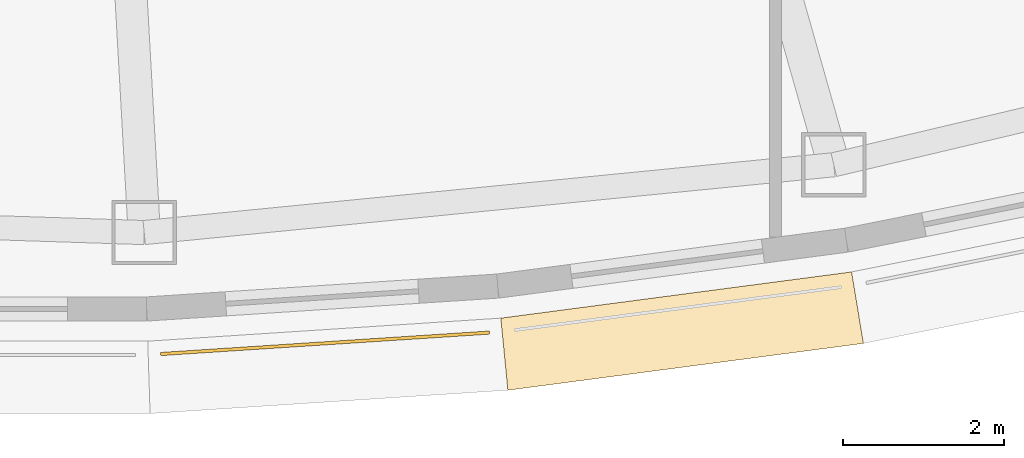
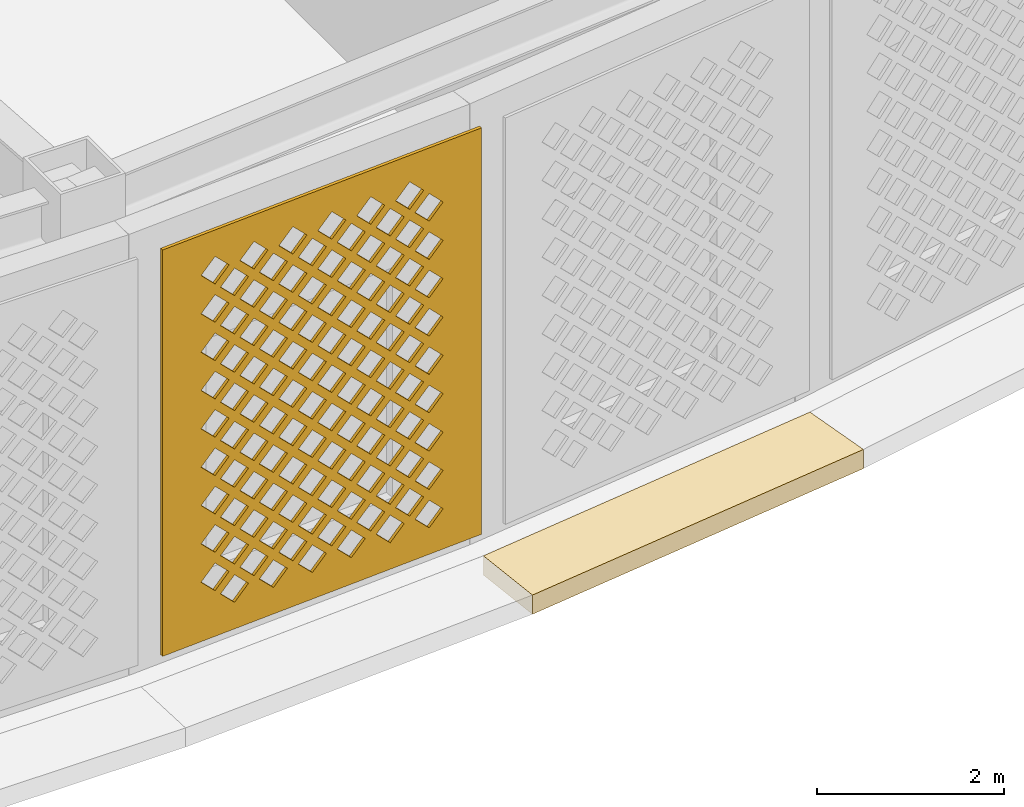
# One storey, part 59 of 74: 2 coverings.
"""IFC4 building model written with IfcOpenShell, lengths in metres."""

from ifc_helpers import new_model, si_unit, direction, frame, origin, place, context, subcontext, project, spatial, polyline, outline, extrude, material, layer, layer_set, type_object, element, save


model = new_model("IFC4")

# Units and contexts
model_context = context("Model", 3, precision=1e-05, world=origin(), true_north=direction((0.0, 1.0)))
body_context = subcontext(model_context, "Body", "Model", "MODEL_VIEW")
ifc_project = project(units=[si_unit("LENGTHUNIT", "METRE"), si_unit("AREAUNIT", "SQUARE_METRE"), si_unit("VOLUMEUNIT", "CUBIC_METRE"), si_unit("PLANEANGLEUNIT", "RADIAN"), si_unit("MASSUNIT", "GRAM", prefix="KILO")], contexts=[model_context])

# Site, building, storey
site_placement = place(None, origin())
site = spatial("IfcSite", under=ifc_project, at=site_placement, CompositionType="ELEMENT")
building_placement = place(site_placement, origin())
building = spatial("IfcBuilding", under=site, at=building_placement, Name="Noorbagh Ring Tower", CompositionType="ELEMENT")
storey_placement = place(building_placement, frame((0.0, 0.0, 13.5)))
storey = spatial("IfcBuildingStorey", under=building, at=storey_placement, Name="L02", CompositionType="ELEMENT", Elevation=13.5)

# Coverings
ifc_material_1 = material(Name="Red sandstone eave", Category="masonry")
covering_type_1 = type_object("IfcCoveringType", Name="STY-CHHAJJA", PredefinedType="USERDEFINED", material=ifc_material_1)
covering_1_placement = place(storey_placement, frame((0.0, 0.0, -0.25)))
element("IfcCovering", 1, at=covering_1_placement, inside=storey, type_object=covering_type_1, Name="Chhajja eave", ObjectType="CHHAJJA", PredefinedType="USERDEFINED", context=body_context, shape_type="SweptSolid", body=[
    extrude(outline(polyline([(6.586181640625, -39.677978515625), (10.945556640625, -39.103759765625), (11.093017578125, -39.9921875), (6.67431640625, -40.573974609375), (6.586181640625, -39.677978515625)])), origin(), (0.0, 0.0, 1.0), 0.25),
])
ifc_material_2 = material(Name="Red sandstone jali", Category="masonry")
ifc_layer = layer(ifc_material_2, 0.0400390625)
ifc_layer_set = layer_set([ifc_layer], Name="Red sandstone jali")
covering_type_2 = type_object("IfcCoveringType", Name="STY-JALI", PredefinedType="USERDEFINED", material=ifc_layer_set)
covering_2_placement = place(storey_placement, frame((2.360595703125, -40.14404296875, 0.449951171875), z_axis=(0.065130734288, -0.997876739608, 0.0), x_axis=(0.997876739608, 0.065130734288, 0.0)))
element("IfcCovering", 2, at=covering_2_placement, inside=storey, type_object=covering_type_2, Name="Jali screen", ObjectType="SCREEN", PredefinedType="USERDEFINED", context=body_context, shape_type="SweptSolid", body=[
    extrude(outline(polyline([(0.0, 0.0), (4.09716796875, 0.0), (4.09716796875, 5.300048828125), (0.0, 5.300048828125), (0.0, 0.0)]), holes=[polyline([(0.743408203125, 0.52490234375), (0.923583984375, 0.344970703125), (1.103515625, 0.52490234375), (0.923583984375, 0.705078125), (0.743408203125, 0.52490234375)]), polyline([(1.243408203125, 0.52490234375), (1.423583984375, 0.344970703125), (1.603515625, 0.52490234375), (1.423583984375, 0.705078125), (1.243408203125, 0.52490234375)]), polyline([(1.743408203125, 0.52490234375), (1.923583984375, 0.344970703125), (2.103515625, 0.52490234375), (1.923583984375, 0.705078125), (1.743408203125, 0.52490234375)]), polyline([(2.243408203125, 0.52490234375), (2.423583984375, 0.344970703125), (2.603515625, 0.52490234375), (2.423583984375, 0.705078125), (2.243408203125, 0.52490234375)]), polyline([(2.743408203125, 0.52490234375), (2.923583984375, 0.344970703125), (3.103515625, 0.52490234375), (2.923583984375, 0.705078125), (2.743408203125, 0.52490234375)]), polyline([(3.243408203125, 0.52490234375), (3.423583984375, 0.344970703125), (3.603515625, 0.52490234375), (3.423583984375, 0.705078125), (3.243408203125, 0.52490234375)]), polyline([(0.493408203125, 0.77490234375), (0.673583984375, 0.594970703125), (0.853515625, 0.77490234375), (0.673583984375, 0.955078125), (0.493408203125, 0.77490234375)]), polyline([(0.993408203125, 0.77490234375), (1.173583984375, 0.594970703125), (1.353515625, 0.77490234375), (1.173583984375, 0.955078125), (0.993408203125, 0.77490234375)]), polyline([(1.493408203125, 0.77490234375), (1.673583984375, 0.594970703125), (1.853515625, 0.77490234375), (1.673583984375, 0.955078125), (1.493408203125, 0.77490234375)]), polyline([(1.993408203125, 0.77490234375), (2.173583984375, 0.594970703125), (2.353515625, 0.77490234375), (2.173583984375, 0.955078125), (1.993408203125, 0.77490234375)]), polyline([(2.493408203125, 0.77490234375), (2.673583984375, 0.594970703125), (2.853515625, 0.77490234375), (2.673583984375, 0.955078125), (2.493408203125, 0.77490234375)]), polyline([(2.993408203125, 0.77490234375), (3.173583984375, 0.594970703125), (3.353515625, 0.77490234375), (3.173583984375, 0.955078125), (2.993408203125, 0.77490234375)]), polyline([(0.743408203125, 1.02490234375), (0.923583984375, 0.844970703125), (1.103515625, 1.02490234375), (0.923583984375, 1.205078125), (0.743408203125, 1.02490234375)]), polyline([(1.243408203125, 1.02490234375), (1.423583984375, 0.844970703125), (1.603515625, 1.02490234375), (1.423583984375, 1.205078125), (1.243408203125, 1.02490234375)]), polyline([(1.743408203125, 1.02490234375), (1.923583984375, 0.844970703125), (2.103515625, 1.02490234375), (1.923583984375, 1.205078125), (1.743408203125, 1.02490234375)]), polyline([(2.243408203125, 1.02490234375), (2.423583984375, 0.844970703125), (2.603515625, 1.02490234375), (2.423583984375, 1.205078125), (2.243408203125, 1.02490234375)]), polyline([(2.743408203125, 1.02490234375), (2.923583984375, 0.844970703125), (3.103515625, 1.02490234375), (2.923583984375, 1.205078125), (2.743408203125, 1.02490234375)]), polyline([(3.243408203125, 1.02490234375), (3.423583984375, 0.844970703125), (3.603515625, 1.02490234375), (3.423583984375, 1.205078125), (3.243408203125, 1.02490234375)]), polyline([(0.493408203125, 1.27490234375), (0.673583984375, 1.094970703125), (0.853515625, 1.27490234375), (0.673583984375, 1.455078125), (0.493408203125, 1.27490234375)]), polyline([(0.993408203125, 1.27490234375), (1.173583984375, 1.094970703125), (1.353515625, 1.27490234375), (1.173583984375, 1.455078125), (0.993408203125, 1.27490234375)]), polyline([(1.493408203125, 1.27490234375), (1.673583984375, 1.094970703125), (1.853515625, 1.27490234375), (1.673583984375, 1.455078125), (1.493408203125, 1.27490234375)]), polyline([(1.993408203125, 1.27490234375), (2.173583984375, 1.094970703125), (2.353515625, 1.27490234375), (2.173583984375, 1.455078125), (1.993408203125, 1.27490234375)]), polyline([(2.493408203125, 1.27490234375), (2.673583984375, 1.094970703125), (2.853515625, 1.27490234375), (2.673583984375, 1.455078125), (2.493408203125, 1.27490234375)]), polyline([(2.993408203125, 1.27490234375), (3.173583984375, 1.094970703125), (3.353515625, 1.27490234375), (3.173583984375, 1.455078125), (2.993408203125, 1.27490234375)]), polyline([(0.743408203125, 1.52490234375), (0.923583984375, 1.344970703125), (1.103515625, 1.52490234375), (0.923583984375, 1.705078125), (0.743408203125, 1.52490234375)]), polyline([(1.243408203125, 1.52490234375), (1.423583984375, 1.344970703125), (1.603515625, 1.52490234375), (1.423583984375, 1.705078125), (1.243408203125, 1.52490234375)]), polyline([(1.743408203125, 1.52490234375), (1.923583984375, 1.344970703125), (2.103515625, 1.52490234375), (1.923583984375, 1.705078125), (1.743408203125, 1.52490234375)]), polyline([(2.243408203125, 1.52490234375), (2.423583984375, 1.344970703125), (2.603515625, 1.52490234375), (2.423583984375, 1.705078125), (2.243408203125, 1.52490234375)]), polyline([(2.743408203125, 1.52490234375), (2.923583984375, 1.344970703125), (3.103515625, 1.52490234375), (2.923583984375, 1.705078125), (2.743408203125, 1.52490234375)]), polyline([(3.243408203125, 1.52490234375), (3.423583984375, 1.344970703125), (3.603515625, 1.52490234375), (3.423583984375, 1.705078125), (3.243408203125, 1.52490234375)]), polyline([(0.493408203125, 1.77490234375), (0.673583984375, 1.594970703125), (0.853515625, 1.77490234375), (0.673583984375, 1.955078125), (0.493408203125, 1.77490234375)]), polyline([(0.993408203125, 1.77490234375), (1.173583984375, 1.594970703125), (1.353515625, 1.77490234375), (1.173583984375, 1.955078125), (0.993408203125, 1.77490234375)]), polyline([(1.493408203125, 1.77490234375), (1.673583984375, 1.594970703125), (1.853515625, 1.77490234375), (1.673583984375, 1.955078125), (1.493408203125, 1.77490234375)]), polyline([(1.993408203125, 1.77490234375), (2.173583984375, 1.594970703125), (2.353515625, 1.77490234375), (2.173583984375, 1.955078125), (1.993408203125, 1.77490234375)]), polyline([(2.493408203125, 1.77490234375), (2.673583984375, 1.594970703125), (2.853515625, 1.77490234375), (2.673583984375, 1.955078125), (2.493408203125, 1.77490234375)]), polyline([(2.993408203125, 1.77490234375), (3.173583984375, 1.594970703125), (3.353515625, 1.77490234375), (3.173583984375, 1.955078125), (2.993408203125, 1.77490234375)]), polyline([(0.743408203125, 2.02490234375), (0.923583984375, 1.844970703125), (1.103515625, 2.02490234375), (0.923583984375, 2.205078125), (0.743408203125, 2.02490234375)]), polyline([(1.243408203125, 2.02490234375), (1.423583984375, 1.844970703125), (1.603515625, 2.02490234375), (1.423583984375, 2.205078125), (1.243408203125, 2.02490234375)]), polyline([(1.743408203125, 2.02490234375), (1.923583984375, 1.844970703125), (2.103515625, 2.02490234375), (1.923583984375, 2.205078125), (1.743408203125, 2.02490234375)]), polyline([(2.243408203125, 2.02490234375), (2.423583984375, 1.844970703125), (2.603515625, 2.02490234375), (2.423583984375, 2.205078125), (2.243408203125, 2.02490234375)]), polyline([(2.743408203125, 2.02490234375), (2.923583984375, 1.844970703125), (3.103515625, 2.02490234375), (2.923583984375, 2.205078125), (2.743408203125, 2.02490234375)]), polyline([(3.243408203125, 2.02490234375), (3.423583984375, 1.844970703125), (3.603515625, 2.02490234375), (3.423583984375, 2.205078125), (3.243408203125, 2.02490234375)]), polyline([(0.493408203125, 2.27490234375), (0.673583984375, 2.094970703125), (0.853515625, 2.27490234375), (0.673583984375, 2.455078125), (0.493408203125, 2.27490234375)]), polyline([(0.993408203125, 2.27490234375), (1.173583984375, 2.094970703125), (1.353515625, 2.27490234375), (1.173583984375, 2.455078125), (0.993408203125, 2.27490234375)]), polyline([(1.493408203125, 2.27490234375), (1.673583984375, 2.094970703125), (1.853515625, 2.27490234375), (1.673583984375, 2.455078125), (1.493408203125, 2.27490234375)]), polyline([(1.993408203125, 2.27490234375), (2.173583984375, 2.094970703125), (2.353515625, 2.27490234375), (2.173583984375, 2.455078125), (1.993408203125, 2.27490234375)]), polyline([(2.493408203125, 2.27490234375), (2.673583984375, 2.094970703125), (2.853515625, 2.27490234375), (2.673583984375, 2.455078125), (2.493408203125, 2.27490234375)]), polyline([(2.993408203125, 2.27490234375), (3.173583984375, 2.094970703125), (3.353515625, 2.27490234375), (3.173583984375, 2.455078125), (2.993408203125, 2.27490234375)]), polyline([(0.743408203125, 2.52490234375), (0.923583984375, 2.344970703125), (1.103515625, 2.52490234375), (0.923583984375, 2.705078125), (0.743408203125, 2.52490234375)]), polyline([(1.243408203125, 2.52490234375), (1.423583984375, 2.344970703125), (1.603515625, 2.52490234375), (1.423583984375, 2.705078125), (1.243408203125, 2.52490234375)]), polyline([(1.743408203125, 2.52490234375), (1.923583984375, 2.344970703125), (2.103515625, 2.52490234375), (1.923583984375, 2.705078125), (1.743408203125, 2.52490234375)]), polyline([(2.243408203125, 2.52490234375), (2.423583984375, 2.344970703125), (2.603515625, 2.52490234375), (2.423583984375, 2.705078125), (2.243408203125, 2.52490234375)]), polyline([(2.743408203125, 2.52490234375), (2.923583984375, 2.344970703125), (3.103515625, 2.52490234375), (2.923583984375, 2.705078125), (2.743408203125, 2.52490234375)]), polyline([(3.243408203125, 2.52490234375), (3.423583984375, 2.344970703125), (3.603515625, 2.52490234375), (3.423583984375, 2.705078125), (3.243408203125, 2.52490234375)]), polyline([(0.493408203125, 2.77490234375), (0.673583984375, 2.594970703125), (0.853515625, 2.77490234375), (0.673583984375, 2.955078125), (0.493408203125, 2.77490234375)]), polyline([(0.993408203125, 2.77490234375), (1.173583984375, 2.594970703125), (1.353515625, 2.77490234375), (1.173583984375, 2.955078125), (0.993408203125, 2.77490234375)]), polyline([(1.493408203125, 2.77490234375), (1.673583984375, 2.594970703125), (1.853515625, 2.77490234375), (1.673583984375, 2.955078125), (1.493408203125, 2.77490234375)]), polyline([(1.993408203125, 2.77490234375), (2.173583984375, 2.594970703125), (2.353515625, 2.77490234375), (2.173583984375, 2.955078125), (1.993408203125, 2.77490234375)]), polyline([(2.493408203125, 2.77490234375), (2.673583984375, 2.594970703125), (2.853515625, 2.77490234375), (2.673583984375, 2.955078125), (2.493408203125, 2.77490234375)]), polyline([(2.993408203125, 2.77490234375), (3.173583984375, 2.594970703125), (3.353515625, 2.77490234375), (3.173583984375, 2.955078125), (2.993408203125, 2.77490234375)]), polyline([(0.743408203125, 3.02490234375), (0.923583984375, 2.844970703125), (1.103515625, 3.02490234375), (0.923583984375, 3.205078125), (0.743408203125, 3.02490234375)]), polyline([(1.243408203125, 3.02490234375), (1.423583984375, 2.844970703125), (1.603515625, 3.02490234375), (1.423583984375, 3.205078125), (1.243408203125, 3.02490234375)]), polyline([(1.743408203125, 3.02490234375), (1.923583984375, 2.844970703125), (2.103515625, 3.02490234375), (1.923583984375, 3.205078125), (1.743408203125, 3.02490234375)]), polyline([(2.243408203125, 3.02490234375), (2.423583984375, 2.844970703125), (2.603515625, 3.02490234375), (2.423583984375, 3.205078125), (2.243408203125, 3.02490234375)]), polyline([(2.743408203125, 3.02490234375), (2.923583984375, 2.844970703125), (3.103515625, 3.02490234375), (2.923583984375, 3.205078125), (2.743408203125, 3.02490234375)]), polyline([(3.243408203125, 3.02490234375), (3.423583984375, 2.844970703125), (3.603515625, 3.02490234375), (3.423583984375, 3.205078125), (3.243408203125, 3.02490234375)]), polyline([(0.493408203125, 3.27490234375), (0.673583984375, 3.094970703125), (0.853515625, 3.27490234375), (0.673583984375, 3.455078125), (0.493408203125, 3.27490234375)]), polyline([(0.993408203125, 3.27490234375), (1.173583984375, 3.094970703125), (1.353515625, 3.27490234375), (1.173583984375, 3.455078125), (0.993408203125, 3.27490234375)]), polyline([(1.493408203125, 3.27490234375), (1.673583984375, 3.094970703125), (1.853515625, 3.27490234375), (1.673583984375, 3.455078125), (1.493408203125, 3.27490234375)]), polyline([(1.993408203125, 3.27490234375), (2.173583984375, 3.094970703125), (2.353515625, 3.27490234375), (2.173583984375, 3.455078125), (1.993408203125, 3.27490234375)]), polyline([(2.493408203125, 3.27490234375), (2.673583984375, 3.094970703125), (2.853515625, 3.27490234375), (2.673583984375, 3.455078125), (2.493408203125, 3.27490234375)]), polyline([(2.993408203125, 3.27490234375), (3.173583984375, 3.094970703125), (3.353515625, 3.27490234375), (3.173583984375, 3.455078125), (2.993408203125, 3.27490234375)]), polyline([(0.743408203125, 3.52490234375), (0.923583984375, 3.344970703125), (1.103515625, 3.52490234375), (0.923583984375, 3.705078125), (0.743408203125, 3.52490234375)]), polyline([(1.243408203125, 3.52490234375), (1.423583984375, 3.344970703125), (1.603515625, 3.52490234375), (1.423583984375, 3.705078125), (1.243408203125, 3.52490234375)]), polyline([(1.743408203125, 3.52490234375), (1.923583984375, 3.344970703125), (2.103515625, 3.52490234375), (1.923583984375, 3.705078125), (1.743408203125, 3.52490234375)]), polyline([(2.243408203125, 3.52490234375), (2.423583984375, 3.344970703125), (2.603515625, 3.52490234375), (2.423583984375, 3.705078125), (2.243408203125, 3.52490234375)]), polyline([(2.743408203125, 3.52490234375), (2.923583984375, 3.344970703125), (3.103515625, 3.52490234375), (2.923583984375, 3.705078125), (2.743408203125, 3.52490234375)]), polyline([(3.243408203125, 3.52490234375), (3.423583984375, 3.344970703125), (3.603515625, 3.52490234375), (3.423583984375, 3.705078125), (3.243408203125, 3.52490234375)]), polyline([(0.493408203125, 3.77490234375), (0.673583984375, 3.594970703125), (0.853515625, 3.77490234375), (0.673583984375, 3.955078125), (0.493408203125, 3.77490234375)]), polyline([(0.993408203125, 3.77490234375), (1.173583984375, 3.594970703125), (1.353515625, 3.77490234375), (1.173583984375, 3.955078125), (0.993408203125, 3.77490234375)]), polyline([(1.493408203125, 3.77490234375), (1.673583984375, 3.594970703125), (1.853515625, 3.77490234375), (1.673583984375, 3.955078125), (1.493408203125, 3.77490234375)]), polyline([(1.993408203125, 3.77490234375), (2.173583984375, 3.594970703125), (2.353515625, 3.77490234375), (2.173583984375, 3.955078125), (1.993408203125, 3.77490234375)]), polyline([(2.493408203125, 3.77490234375), (2.673583984375, 3.594970703125), (2.853515625, 3.77490234375), (2.673583984375, 3.955078125), (2.493408203125, 3.77490234375)]), polyline([(2.993408203125, 3.77490234375), (3.173583984375, 3.594970703125), (3.353515625, 3.77490234375), (3.173583984375, 3.955078125), (2.993408203125, 3.77490234375)]), polyline([(0.743408203125, 4.02490234375), (0.923583984375, 3.844970703125), (1.103515625, 4.02490234375), (0.923583984375, 4.205078125), (0.743408203125, 4.02490234375)]), polyline([(1.243408203125, 4.02490234375), (1.423583984375, 3.844970703125), (1.603515625, 4.02490234375), (1.423583984375, 4.205078125), (1.243408203125, 4.02490234375)]), polyline([(1.743408203125, 4.02490234375), (1.923583984375, 3.844970703125), (2.103515625, 4.02490234375), (1.923583984375, 4.205078125), (1.743408203125, 4.02490234375)]), polyline([(2.243408203125, 4.02490234375), (2.423583984375, 3.844970703125), (2.603515625, 4.02490234375), (2.423583984375, 4.205078125), (2.243408203125, 4.02490234375)]), polyline([(2.743408203125, 4.02490234375), (2.923583984375, 3.844970703125), (3.103515625, 4.02490234375), (2.923583984375, 4.205078125), (2.743408203125, 4.02490234375)]), polyline([(3.243408203125, 4.02490234375), (3.423583984375, 3.844970703125), (3.603515625, 4.02490234375), (3.423583984375, 4.205078125), (3.243408203125, 4.02490234375)]), polyline([(0.493408203125, 4.27490234375), (0.673583984375, 4.094970703125), (0.853515625, 4.27490234375), (0.673583984375, 4.455078125), (0.493408203125, 4.27490234375)]), polyline([(0.993408203125, 4.27490234375), (1.173583984375, 4.094970703125), (1.353515625, 4.27490234375), (1.173583984375, 4.455078125), (0.993408203125, 4.27490234375)]), polyline([(1.493408203125, 4.27490234375), (1.673583984375, 4.094970703125), (1.853515625, 4.27490234375), (1.673583984375, 4.455078125), (1.493408203125, 4.27490234375)]), polyline([(1.993408203125, 4.27490234375), (2.173583984375, 4.094970703125), (2.353515625, 4.27490234375), (2.173583984375, 4.455078125), (1.993408203125, 4.27490234375)]), polyline([(2.493408203125, 4.27490234375), (2.673583984375, 4.094970703125), (2.853515625, 4.27490234375), (2.673583984375, 4.455078125), (2.493408203125, 4.27490234375)]), polyline([(2.993408203125, 4.27490234375), (3.173583984375, 4.094970703125), (3.353515625, 4.27490234375), (3.173583984375, 4.455078125), (2.993408203125, 4.27490234375)]), polyline([(0.743408203125, 4.52490234375), (0.923583984375, 4.344970703125), (1.103515625, 4.52490234375), (0.923583984375, 4.705078125), (0.743408203125, 4.52490234375)]), polyline([(1.243408203125, 4.52490234375), (1.423583984375, 4.344970703125), (1.603515625, 4.52490234375), (1.423583984375, 4.705078125), (1.243408203125, 4.52490234375)]), polyline([(1.743408203125, 4.52490234375), (1.923583984375, 4.344970703125), (2.103515625, 4.52490234375), (1.923583984375, 4.705078125), (1.743408203125, 4.52490234375)]), polyline([(2.243408203125, 4.52490234375), (2.423583984375, 4.344970703125), (2.603515625, 4.52490234375), (2.423583984375, 4.705078125), (2.243408203125, 4.52490234375)]), polyline([(2.743408203125, 4.52490234375), (2.923583984375, 4.344970703125), (3.103515625, 4.52490234375), (2.923583984375, 4.705078125), (2.743408203125, 4.52490234375)]), polyline([(3.243408203125, 4.52490234375), (3.423583984375, 4.344970703125), (3.603515625, 4.52490234375), (3.423583984375, 4.705078125), (3.243408203125, 4.52490234375)]), polyline([(0.493408203125, 4.77490234375), (0.673583984375, 4.594970703125), (0.853515625, 4.77490234375), (0.673583984375, 4.955078125), (0.493408203125, 4.77490234375)]), polyline([(0.993408203125, 4.77490234375), (1.173583984375, 4.594970703125), (1.353515625, 4.77490234375), (1.173583984375, 4.955078125), (0.993408203125, 4.77490234375)]), polyline([(1.493408203125, 4.77490234375), (1.673583984375, 4.594970703125), (1.853515625, 4.77490234375), (1.673583984375, 4.955078125), (1.493408203125, 4.77490234375)]), polyline([(1.993408203125, 4.77490234375), (2.173583984375, 4.594970703125), (2.353515625, 4.77490234375), (2.173583984375, 4.955078125), (1.993408203125, 4.77490234375)]), polyline([(2.493408203125, 4.77490234375), (2.673583984375, 4.594970703125), (2.853515625, 4.77490234375), (2.673583984375, 4.955078125), (2.493408203125, 4.77490234375)]), polyline([(2.993408203125, 4.77490234375), (3.173583984375, 4.594970703125), (3.353515625, 4.77490234375), (3.173583984375, 4.955078125), (2.993408203125, 4.77490234375)])]), origin(), (0.0, 0.0, -1.0), 0.0400390625),
])

save(model, "model.ifc")
